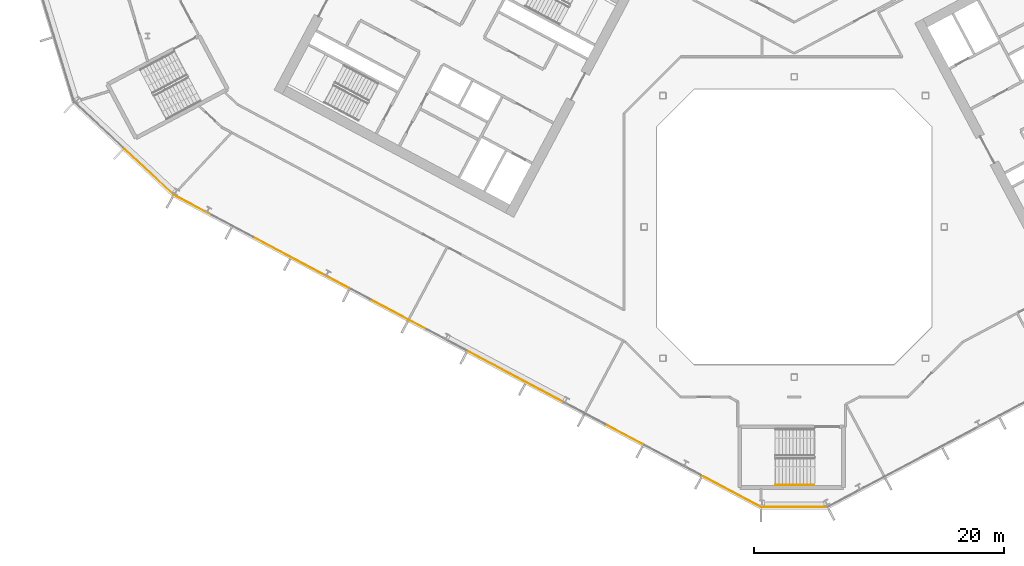
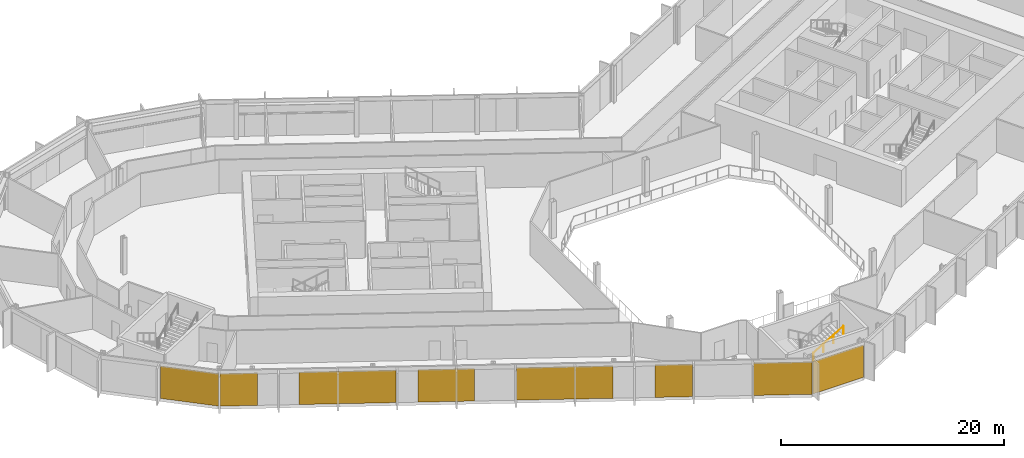
# One storey, part 19 of 28: 8 coverings, 1 railing, 3 elements without a shape of their own.
"""IFC4 building model written with IfcOpenShell, lengths in metres."""

from ifc_helpers import new_model, si_unit, direction, frame, origin, origin_2d, place, context, subcontext, project, spatial, polyline, rectangle, outline, extrude, material, layer, layer_set, type_object, element, aggregate, save


model = new_model("IFC4")

# Units and contexts
model_context = context("Model", 3, precision=1e-05, world=origin(), true_north=direction((0.0, 1.0)))
body_context = subcontext(model_context, "Body", "Model", "MODEL_VIEW")
ifc_project = project(units=[si_unit("LENGTHUNIT", "METRE"), si_unit("AREAUNIT", "SQUARE_METRE"), si_unit("VOLUMEUNIT", "CUBIC_METRE"), si_unit("PLANEANGLEUNIT", "RADIAN"), si_unit("MASSUNIT", "GRAM", prefix="KILO")], contexts=[model_context])

# Site, building, storey
site_placement = place(None, origin())
site = spatial("IfcSite", under=ifc_project, at=site_placement, CompositionType="ELEMENT")
building_placement = place(site_placement, origin())
building = spatial("IfcBuilding", under=site, at=building_placement, Name="Cormorant Relay Tower", CompositionType="ELEMENT")
storey_placement = place(building_placement, frame((0.0, 0.0, 154.199951171875)))
storey = spatial("IfcBuildingStorey", under=building, at=storey_placement, Name="L32", CompositionType="ELEMENT", Elevation=154.199951171875)

# Curtain wall, covering
ifc_material_1 = material(Name="Aluminium 6063-T6 anodised bronze", Category="aluminium")
ifc_layer_1 = layer(ifc_material_1, 0.199951171875)
ifc_layer_set_1 = layer_set([ifc_layer_1], Name="CW1 unitised bronze curtain wall with vertical fins")
curtain_wall_type = type_object("IfcCurtainWallType", Name="CW1 unitised bronze curtain wall with vertical fins", PredefinedType="NOTDEFINED", material=ifc_layer_set_1)
curtain_wall_1_placement = place(storey_placement, origin())
curtain_wall_1 = element("IfcCurtainWall", 1, at=curtain_wall_1_placement, inside=storey, type_object=curtain_wall_type, Name="CW1 curtain wall 1", PredefinedType="NOTDEFINED")
ifc_material_2 = material(Name="Pale bronze anodised aluminium insulated panel", Category="aluminium")
ifc_layer_2 = layer(ifc_material_2, 0.0400390625)
ifc_layer_set_2 = layer_set([ifc_layer_2], Name="CW1 pale bronze insulated panel 40")
covering_type = type_object("IfcCoveringType", Name="CW1 pale bronze insulated panel 40", PredefinedType="CLADDING", material=ifc_layer_set_2)
covering_1_placement = place(storey_placement, frame((0.03759765625, -22.3955078125, 0.0), z_axis=(0.0, 0.0, 1.0), x_axis=(1.0, 0.0, 0.0)))
covering_1 = element("IfcCovering", 2, at=covering_1_placement, type_object=covering_type, Name="CW1 panel S00", PredefinedType="CLADDING", context=body_context, shape_type="SweptSolid", body=[
    extrude(rectangle(XDim=5.22265625, YDim=0.0400390625, at=origin_2d()), origin(), (0.0, 0.0, 1.0), 3.550048828125),
])
aggregate(curtain_wall_1, [covering_1])

curtain_wall_2_placement = place(storey_placement, origin())
curtain_wall_2 = element("IfcCurtainWall", 3, at=curtain_wall_2_placement, inside=storey, type_object=curtain_wall_type, Name="CW1 curtain wall 15", PredefinedType="NOTDEFINED")
covering_2_placement = place(storey_placement, frame((-51.565185546875, 4.3974609375, 0.0), z_axis=(0.0, 0.0, 1.0), x_axis=(0.731353701619, -0.681998360062, 0.0)))
covering_2 = element("IfcCovering", 4, at=covering_2_placement, type_object=covering_type, Name="CW1 panel S01", PredefinedType="CLADDING", context=body_context, shape_type="SweptSolid", body=[
    extrude(rectangle(XDim=5.360107421875, YDim=0.0400390625, at=origin_2d()), origin(), (0.0, 0.0, 1.0), 3.550048828125),
])
aggregate(curtain_wall_2, [covering_2])

# Curtain wall, coverings
curtain_wall_3_placement = place(storey_placement, origin())
curtain_wall_3 = element("IfcCurtainWall", 5, at=curtain_wall_3_placement, inside=storey, type_object=curtain_wall_type, Name="CW1 curtain wall 16", PredefinedType="NOTDEFINED")
covering_3_placement = place(storey_placement, frame((-48.048583984375, 1.7412109375, 0.0), z_axis=(0.0, 0.0, 1.0), x_axis=(0.882947592859, -0.469471562786, 0.0)))
covering_3 = element("IfcCovering", 6, at=covering_3_placement, type_object=covering_type, Name="CW1 panel S00", PredefinedType="CLADDING", context=body_context, shape_type="SweptSolid", body=[
    extrude(rectangle(XDim=3.36669921875, YDim=0.0400390625, at=origin_2d()), origin(), (0.0, 0.0, 1.0), 3.550048828125),
])
covering_4_placement = place(storey_placement, frame((-39.417724609375, -2.847900390625, 0.0), z_axis=(0.0, 0.0, 1.0), x_axis=(0.882947592859, -0.469471562786, 0.0)))
covering_4 = element("IfcCovering", 7, at=covering_4_placement, type_object=covering_type, Name="CW1 panel S03", PredefinedType="CLADDING", context=body_context, shape_type="SweptSolid", body=[
    extrude(rectangle(XDim=8.68310546875, YDim=0.0400390625, at=origin_2d()), origin(), (0.0, 0.0, 1.0), 3.550048828125),
])
covering_5_placement = place(storey_placement, frame((-31.618408203125, -6.994873046875, 0.0), z_axis=(0.0, 0.0, 1.0), x_axis=(0.882947592859, -0.469471562786, 0.0)))
covering_5 = element("IfcCovering", 8, at=covering_5_placement, type_object=covering_type, Name="CW1 panel S05", PredefinedType="CLADDING", context=body_context, shape_type="SweptSolid", body=[
    extrude(rectangle(XDim=5.083251953125, YDim=0.0400390625, at=origin_2d()), origin(), (0.0, 0.0, 1.0), 3.550048828125),
])
covering_6_placement = place(storey_placement, frame((-22.22998046875, -11.98681640625, 0.0), z_axis=(0.0, 0.0, 1.0), x_axis=(0.882947592859, -0.469471562786, 0.0)))
covering_6 = element("IfcCovering", 9, at=covering_6_placement, type_object=covering_type, Name="CW1 panel S07", PredefinedType="CLADDING", context=body_context, shape_type="SweptSolid", body=[
    extrude(rectangle(XDim=8.68310546875, YDim=0.0400390625, at=origin_2d()), origin(), (0.0, 0.0, 1.0), 3.550048828125),
])
covering_7_placement = place(storey_placement, frame((-13.599365234375, -16.57568359375, 0.0), z_axis=(0.0, 0.0, 1.0), x_axis=(0.882947592859, -0.469471562786, 0.0)))
covering_7 = element("IfcCovering", 10, at=covering_7_placement, type_object=covering_type, Name="CW1 panel S10", PredefinedType="CLADDING", context=body_context, shape_type="SweptSolid", body=[
    extrude(rectangle(XDim=3.36669921875, YDim=0.0400390625, at=origin_2d()), origin(), (0.0, 0.0, 1.0), 3.550048828125),
])
covering_8_placement = place(storey_placement, frame((-4.972412109375, -21.162841796875, 0.0), z_axis=(0.0, 0.0, 1.0), x_axis=(0.882947592859, -0.469471562786, 0.0)))
covering_8 = element("IfcCovering", 11, at=covering_8_placement, type_object=covering_type, Name="CW1 panel S12", PredefinedType="CLADDING", context=body_context, shape_type="SweptSolid", body=[
    extrude(rectangle(XDim=5.24169921875, YDim=0.0400390625, at=origin_2d()), origin(), (0.0, 0.0, 1.0), 3.550048828125),
])
aggregate(curtain_wall_3, [covering_3, covering_4, covering_5, covering_6, covering_7, covering_8])

# Railing
ifc_material_3 = material(Name="Steel ASTM A572 Grade 50 (Fy 345 MPa)", Category="steel")
railing_type = type_object("IfcRailingType", Name="Stair handrail 900", PredefinedType="HANDRAIL", material=ifc_material_3)
railing_placement = place(storey_placement, frame((-1.47998046875, -20.625, 2.166748046875)))
element("IfcRailing", 12, at=railing_placement, inside=storey, type_object=railing_type, Name="L32 RK1 stair handrail 2", PredefinedType="HANDRAIL", context=body_context, shape_type="SweptSolid", body=[
    extrude(outline(polyline([(0.022216796875, 0.00927734375), (0.00927734375, 0.022216796875), (-0.00927734375, 0.022216796875), (-0.022216796875, 0.00927734375), (-0.022216796875, -0.00927734375), (-0.00927734375, -0.022216796875), (0.00927734375, -0.022216796875), (0.022216796875, -0.00927734375), (0.022216796875, 0.00927734375)])), frame((0.0, 0.0, 0.8759765625), z_axis=(0.859308565015, 0.0, 0.511457515432), x_axis=(0.0, 1.0, 0.0)), (0.0, 0.0, 1.0), 3.58447265625),
    extrude(outline(polyline([(0.019287109375, 0.008056640625), (0.008056640625, 0.019287109375), (-0.008056640625, 0.019287109375), (-0.019287109375, 0.008056640625), (-0.019287109375, -0.008056640625), (-0.008056640625, -0.019287109375), (0.008056640625, -0.019287109375), (0.019287109375, -0.008056640625), (0.019287109375, 0.008056640625)])), origin(), (0.0, 0.0, 1.0), 0.851806640625),
    extrude(outline(polyline([(0.019287109375, 0.008056640625), (0.008056640625, 0.019287109375), (-0.008056640625, 0.019287109375), (-0.019287109375, 0.008056640625), (-0.019287109375, -0.008056640625), (-0.008056640625, -0.019287109375), (0.008056640625, -0.019287109375), (0.019287109375, -0.008056640625), (0.019287109375, 0.008056640625)])), frame((1.026611328125, 0.0, 0.611083984375)), (0.0, 0.0, 1.0), 0.851806640625),
    extrude(outline(polyline([(0.019287109375, 0.008056640625), (0.008056640625, 0.019287109375), (-0.008056640625, 0.019287109375), (-0.019287109375, 0.008056640625), (-0.019287109375, -0.008056640625), (-0.008056640625, -0.019287109375), (0.008056640625, -0.019287109375), (0.019287109375, -0.008056640625), (0.019287109375, 0.008056640625)])), frame((2.053466796875, 0.0, 1.22216796875)), (0.0, 0.0, 1.0), 0.851806640625),
    extrude(outline(polyline([(0.019287109375, 0.008056640625), (0.008056640625, 0.019287109375), (-0.008056640625, 0.019287109375), (-0.019287109375, 0.008056640625), (-0.019287109375, -0.008056640625), (-0.008056640625, -0.019287109375), (0.008056640625, -0.019287109375), (0.019287109375, -0.008056640625), (0.019287109375, 0.008056640625)])), frame((3.080078125, 0.0, 1.833251953125)), (0.0, 0.0, 1.0), 0.851806640625),
])

save(model, "model.ifc")
